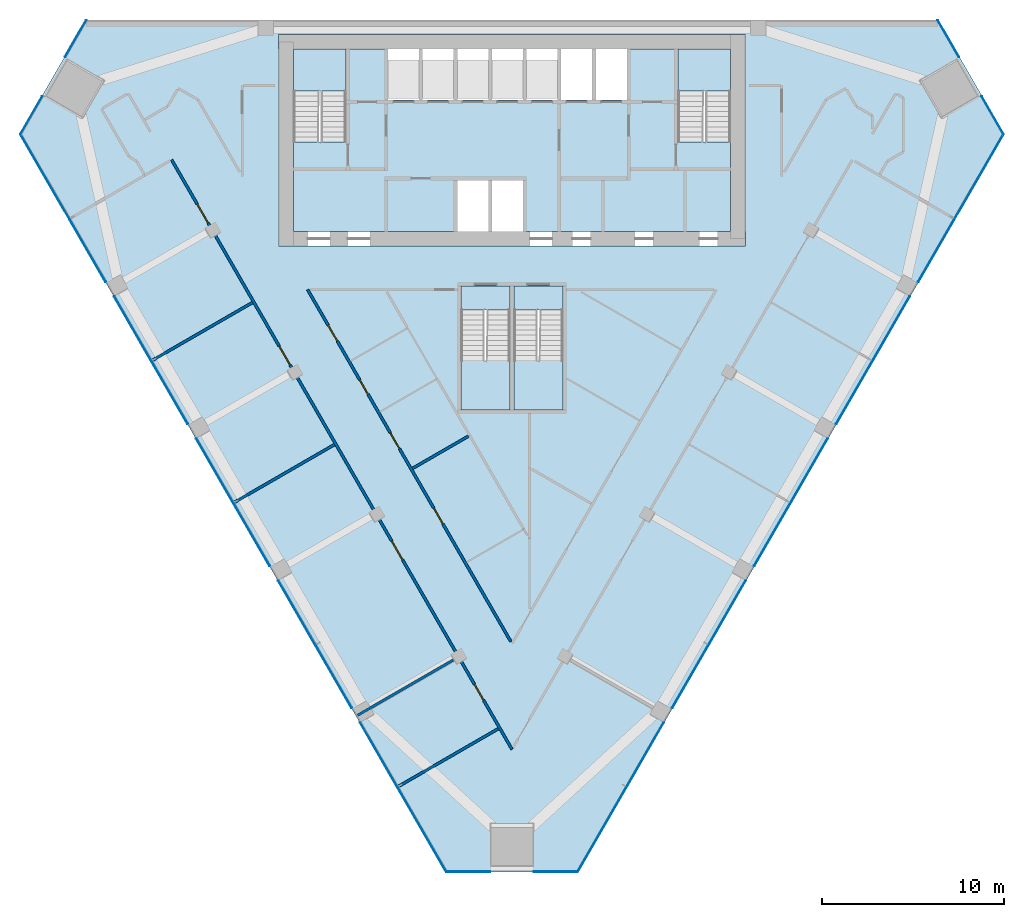
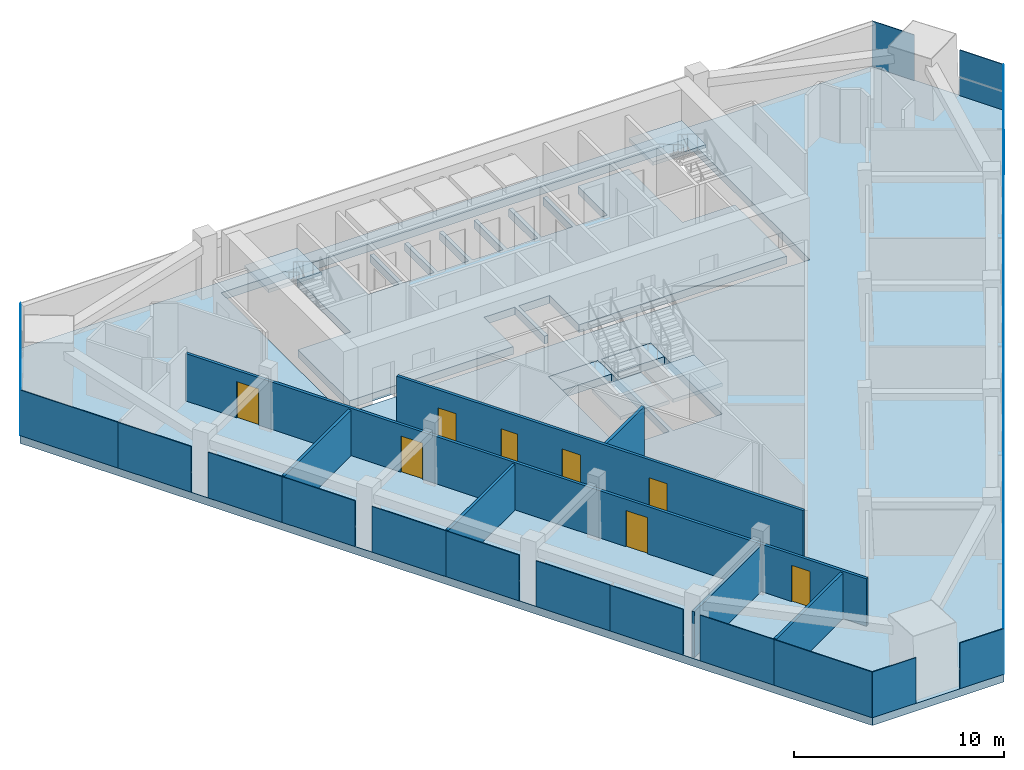
# One storey, part 8 of 13: 26 plates, 8 doors, 8 slabs, 7 walls, 8 openings, 9 elements without a shape of their own.
"""IFC4 building model written with IfcOpenShell, lengths in metres."""

from ifc_helpers import new_model, si_unit, direction, frame, frame_2d, origin, origin_2d, place, context, subcontext, project, spatial, polyline, rectangle, outline, extrude, material, layer, layer_set, type_object, element, fill, aggregate, save


model = new_model("IFC4")

# Units and contexts
model_context = context("Model", 3, precision=1e-05, world=origin(), true_north=direction((0.0, 1.0)))
body_context = subcontext(model_context, "Body", "Model", "MODEL_VIEW")
ifc_project = project(units=[si_unit("LENGTHUNIT", "METRE"), si_unit("AREAUNIT", "SQUARE_METRE"), si_unit("VOLUMEUNIT", "CUBIC_METRE"), si_unit("PLANEANGLEUNIT", "RADIAN"), si_unit("MASSUNIT", "GRAM", prefix="KILO")], contexts=[model_context])

# Site, building, storey
site_placement = place(None, origin())
site = spatial("IfcSite", under=ifc_project, at=site_placement, CompositionType="ELEMENT")
building_placement = place(site_placement, origin())
building = spatial("IfcBuilding", under=site, at=building_placement, Name="Altiplano Prism Tower", CompositionType="ELEMENT")
storey_placement = place(building_placement, frame((0.0, 0.0, 156.60009765625)))
storey = spatial("IfcBuildingStorey", under=building, at=storey_placement, Name="L40", CompositionType="ELEMENT", Elevation=156.60009765625)

# Curtain wall, plates
ifc_material_1 = material(Name="Aluminium and glass", Category="aluminium")
ifc_layer_1 = layer(ifc_material_1, 0.303955078125)
ifc_layer_set_1 = layer_set([ifc_layer_1], Name="Aluminium and glass")
curtain_wall_type = type_object("IfcCurtainWallType", Name="CW2 lounge-band unitised glazing", PredefinedType="NOTDEFINED", material=ifc_layer_set_1)
curtain_wall_1_placement = place(storey_placement, origin())
curtain_wall_1 = element("IfcCurtainWall", 1, at=curtain_wall_1_placement, inside=storey, type_object=curtain_wall_type, Name="CW2 curtain wall north-west chamfer L40", PredefinedType="NOTDEFINED")
ifc_material_2 = material(Name="Clear glass", Category="glass")
ifc_layer_2 = layer(ifc_material_2, 0.0439453125)
ifc_layer_set_2 = layer_set([ifc_layer_2], Name="Clear glass")
plate_type = type_object("IfcPlateType", Name="CW2 insulated glass unit 44", PredefinedType="CURTAIN_PANEL", material=ifc_layer_set_2)
plate_1_placement = place(storey_placement, frame((61.05078125, 103.97802734375, 0.0), z_axis=(0.0, 0.0, 1.0), x_axis=(-0.500000011623, -0.866025397074, 0.0)))
plate_1 = element("IfcPlate", 2, at=plate_1_placement, type_object=plate_type, Name="CW2 panel", PredefinedType="CURTAIN_PANEL", context=body_context, shape_type="SweptSolid", body=[
    extrude(rectangle(XDim=2.324462890625, YDim=0.0439453125, at=origin_2d()), origin(), (0.0, 0.0, 1.0), 2.64990234375),
])
plate_2_placement = place(storey_placement, frame((58.62353515625, 99.77392578125, 0.0), z_axis=(0.0, 0.0, 1.0), x_axis=(-0.500000011623, -0.866025397074, 0.0)))
plate_2 = element("IfcPlate", 3, at=plate_2_placement, type_object=plate_type, Name="CW2 panel", PredefinedType="CURTAIN_PANEL", context=body_context, shape_type="SweptSolid", body=[
    extrude(rectangle(XDim=2.404541015625, YDim=0.0439453125, at=origin_2d()), origin(), (0.0, 0.0, 1.0), 2.64990234375),
])
aggregate(curtain_wall_1, [plate_1, plate_2])

curtain_wall_2_placement = place(storey_placement, origin())
curtain_wall_2 = element("IfcCurtainWall", 4, at=curtain_wall_2_placement, inside=storey, type_object=curtain_wall_type, Name="CW2 curtain wall south-west face L40", PredefinedType="NOTDEFINED")
plate_3_placement = place(storey_placement, frame((59.365966796875, 96.418701171875, 0.0), z_axis=(0.0, 0.0, 1.0), x_axis=(0.500000001315, -0.866025403025, 0.0)))
plate_3 = element("IfcPlate", 5, at=plate_3_placement, type_object=plate_type, Name="CW2 panel", PredefinedType="CURTAIN_PANEL", context=body_context, shape_type="SweptSolid", body=[
    extrude(rectangle(XDim=5.374755859375, YDim=0.0439453125, at=origin_2d()), origin(), (0.0, 0.0, 1.0), 2.64990234375),
])
plate_4_placement = place(storey_placement, frame((61.7109375, 92.35693359375, 0.0), z_axis=(0.0, 0.0, 1.0), x_axis=(0.500000001315, -0.866025403025, 0.0)))
plate_4 = element("IfcPlate", 6, at=plate_4_placement, type_object=plate_type, Name="CW2 panel", PredefinedType="CURTAIN_PANEL", context=body_context, shape_type="SweptSolid", body=[
    extrude(rectangle(XDim=3.985595703125, YDim=0.0439453125, at=origin_2d()), origin(), (0.0, 0.0, 1.0), 2.64990234375),
])
plate_5_placement = place(storey_placement, frame((64.193603515625, 88.05712890625, 0.0), z_axis=(0.0, 0.0, 1.0), x_axis=(0.500000001315, -0.866025403025, 0.0)))
plate_5 = element("IfcPlate", 7, at=plate_5_placement, type_object=plate_type, Name="CW2 panel", PredefinedType="CURTAIN_PANEL", context=body_context, shape_type="SweptSolid", body=[
    extrude(rectangle(XDim=4.064453125, YDim=0.0439453125, at=origin_2d()), origin(), (0.0, 0.0, 1.0), 2.64990234375),
])
plate_6_placement = place(storey_placement, frame((66.2109375, 84.562744140625, 0.0), z_axis=(0.0, 0.0, 1.0), x_axis=(0.500000001315, -0.866025403025, 0.0)))
plate_6 = element("IfcPlate", 8, at=plate_6_placement, type_object=plate_type, Name="CW2 panel", PredefinedType="CURTAIN_PANEL", context=body_context, shape_type="SweptSolid", body=[
    extrude(rectangle(XDim=3.985595703125, YDim=0.0439453125, at=origin_2d()), origin(), (0.0, 0.0, 1.0), 2.64990234375),
])
plate_7_placement = place(storey_placement, frame((68.693603515625, 80.262939453125, 0.0), z_axis=(0.0, 0.0, 1.0), x_axis=(0.500000001315, -0.866025403025, 0.0)))
plate_7 = element("IfcPlate", 9, at=plate_7_placement, type_object=plate_type, Name="CW2 panel", PredefinedType="CURTAIN_PANEL", context=body_context, shape_type="SweptSolid", body=[
    extrude(rectangle(XDim=4.064453125, YDim=0.0439453125, at=origin_2d()), origin(), (0.0, 0.0, 1.0), 2.64990234375),
])
plate_8_placement = place(storey_placement, frame((70.7109375, 76.7685546875, 0.0), z_axis=(0.0, 0.0, 1.0), x_axis=(0.500000001315, -0.866025403025, 0.0)))
plate_8 = element("IfcPlate", 10, at=plate_8_placement, type_object=plate_type, Name="CW2 panel", PredefinedType="CURTAIN_PANEL", context=body_context, shape_type="SweptSolid", body=[
    extrude(rectangle(XDim=3.985595703125, YDim=0.0439453125, at=origin_2d()), origin(), (0.0, 0.0, 1.0), 2.64990234375),
])
plate_9_placement = place(storey_placement, frame((73.193603515625, 72.46875, 0.0), z_axis=(0.0, 0.0, 1.0), x_axis=(0.500000001315, -0.866025403025, 0.0)))
plate_9 = element("IfcPlate", 11, at=plate_9_placement, type_object=plate_type, Name="CW2 panel", PredefinedType="CURTAIN_PANEL", context=body_context, shape_type="SweptSolid", body=[
    extrude(rectangle(XDim=4.064453125, YDim=0.0439453125, at=origin_2d()), origin(), (0.0, 0.0, 1.0), 2.64990234375),
])
plate_10_placement = place(storey_placement, frame((75.2109375, 68.974365234375, 0.0), z_axis=(0.0, 0.0, 1.0), x_axis=(0.500000001315, -0.866025403025, 0.0)))
plate_10 = element("IfcPlate", 12, at=plate_10_placement, type_object=plate_type, Name="CW2 panel", PredefinedType="CURTAIN_PANEL", context=body_context, shape_type="SweptSolid", body=[
    extrude(rectangle(XDim=3.985595703125, YDim=0.0439453125, at=origin_2d()), origin(), (0.0, 0.0, 1.0), 2.64990234375),
])
plate_11_placement = place(storey_placement, frame((77.693603515625, 64.674560546875, 0.0), z_axis=(0.0, 0.0, 1.0), x_axis=(0.500000001315, -0.866025403025, 0.0)))
plate_11 = element("IfcPlate", 13, at=plate_11_placement, type_object=plate_type, Name="CW2 panel", PredefinedType="CURTAIN_PANEL", context=body_context, shape_type="SweptSolid", body=[
    extrude(rectangle(XDim=4.064453125, YDim=0.0439453125, at=origin_2d()), origin(), (0.0, 0.0, 1.0), 2.64990234375),
])
plate_12_placement = place(storey_placement, frame((80.058349609375, 60.57861328125, 0.0), z_axis=(0.0, 0.0, 1.0), x_axis=(0.500000001315, -0.866025403025, 0.0)))
plate_12 = element("IfcPlate", 14, at=plate_12_placement, type_object=plate_type, Name="CW2 panel", PredefinedType="CURTAIN_PANEL", context=body_context, shape_type="SweptSolid", body=[
    extrude(rectangle(XDim=5.374755859375, YDim=0.0439453125, at=origin_2d()), origin(), (0.0, 0.0, 1.0), 2.64990234375),
])
aggregate(curtain_wall_2, [plate_3, plate_4, plate_5, plate_6, plate_7, plate_8, plate_9, plate_10, plate_11, plate_12])

curtain_wall_3_placement = place(storey_placement, origin())
curtain_wall_3 = element("IfcCurtainWall", 15, at=curtain_wall_3_placement, inside=storey, type_object=curtain_wall_type, Name="CW2 curtain wall south chamfer L40", PredefinedType="NOTDEFINED")
plate_13_placement = place(storey_placement, frame((82.5927734375, 58.2578125, 0.0), z_axis=(0.0, 0.0, 1.0), x_axis=(1.0, 0.0, 0.0)))
plate_13 = element("IfcPlate", 16, at=plate_13_placement, type_object=plate_type, Name="CW2 panel", PredefinedType="CURTAIN_PANEL", context=body_context, shape_type="SweptSolid", body=[
    extrude(rectangle(XDim=2.404541015625, YDim=0.0439453125, at=origin_2d()), origin(), (0.0, 0.0, 1.0), 2.64990234375),
])
plate_14_placement = place(storey_placement, frame((87.4072265625, 58.2578125, 0.0), z_axis=(0.0, 0.0, 1.0), x_axis=(1.0, 0.0, 0.0)))
plate_14 = element("IfcPlate", 17, at=plate_14_placement, type_object=plate_type, Name="CW2 panel", PredefinedType="CURTAIN_PANEL", context=body_context, shape_type="SweptSolid", body=[
    extrude(rectangle(XDim=2.404541015625, YDim=0.0439453125, at=origin_2d()), origin(), (0.0, 0.0, 1.0), 2.64990234375),
])
aggregate(curtain_wall_3, [plate_13, plate_14])

curtain_wall_4_placement = place(storey_placement, origin())
curtain_wall_4 = element("IfcCurtainWall", 18, at=curtain_wall_4_placement, inside=storey, type_object=curtain_wall_type, Name="CW2 curtain wall south-east face L40", PredefinedType="NOTDEFINED")
plate_15_placement = place(storey_placement, frame((89.941650390625, 60.57861328125, 0.0), z_axis=(0.0, 0.0, 1.0), x_axis=(0.500000001315, 0.866025403025, 0.0)))
plate_15 = element("IfcPlate", 19, at=plate_15_placement, type_object=plate_type, Name="CW2 panel", PredefinedType="CURTAIN_PANEL", context=body_context, shape_type="SweptSolid", body=[
    extrude(rectangle(XDim=5.374755859375, YDim=0.0439453125, at=origin_2d()), origin(), (0.0, 0.0, 1.0), 2.64990234375),
])
plate_16_placement = place(storey_placement, frame((92.306396484375, 64.674560546875, 0.0), z_axis=(0.0, 0.0, 1.0), x_axis=(0.500000001315, 0.866025403025, 0.0)))
plate_16 = element("IfcPlate", 20, at=plate_16_placement, type_object=plate_type, Name="CW2 panel", PredefinedType="CURTAIN_PANEL", context=body_context, shape_type="SweptSolid", body=[
    extrude(rectangle(XDim=4.064453125, YDim=0.0439453125, at=origin_2d()), origin(), (0.0, 0.0, 1.0), 2.64990234375),
])
plate_17_placement = place(storey_placement, frame((94.7890625, 68.974365234375, 0.0), z_axis=(0.0, 0.0, 1.0), x_axis=(0.500000001315, 0.866025403025, 0.0)))
plate_17 = element("IfcPlate", 21, at=plate_17_placement, type_object=plate_type, Name="CW2 panel", PredefinedType="CURTAIN_PANEL", context=body_context, shape_type="SweptSolid", body=[
    extrude(rectangle(XDim=3.985595703125, YDim=0.0439453125, at=origin_2d()), origin(), (0.0, 0.0, 1.0), 2.64990234375),
])
plate_18_placement = place(storey_placement, frame((96.806396484375, 72.46875, 0.0), z_axis=(0.0, 0.0, 1.0), x_axis=(0.500000001315, 0.866025403025, 0.0)))
plate_18 = element("IfcPlate", 22, at=plate_18_placement, type_object=plate_type, Name="CW2 panel", PredefinedType="CURTAIN_PANEL", context=body_context, shape_type="SweptSolid", body=[
    extrude(rectangle(XDim=4.064453125, YDim=0.0439453125, at=origin_2d()), origin(), (0.0, 0.0, 1.0), 2.64990234375),
])
plate_19_placement = place(storey_placement, frame((99.2890625, 76.7685546875, 0.0), z_axis=(0.0, 0.0, 1.0), x_axis=(0.500000001315, 0.866025403025, 0.0)))
plate_19 = element("IfcPlate", 23, at=plate_19_placement, type_object=plate_type, Name="CW2 panel", PredefinedType="CURTAIN_PANEL", context=body_context, shape_type="SweptSolid", body=[
    extrude(rectangle(XDim=3.985595703125, YDim=0.0439453125, at=origin_2d()), origin(), (0.0, 0.0, 1.0), 2.64990234375),
])
plate_20_placement = place(storey_placement, frame((101.306396484375, 80.262939453125, 0.0), z_axis=(0.0, 0.0, 1.0), x_axis=(0.500000001315, 0.866025403025, 0.0)))
plate_20 = element("IfcPlate", 24, at=plate_20_placement, type_object=plate_type, Name="CW2 panel", PredefinedType="CURTAIN_PANEL", context=body_context, shape_type="SweptSolid", body=[
    extrude(rectangle(XDim=4.064453125, YDim=0.0439453125, at=origin_2d()), origin(), (0.0, 0.0, 1.0), 2.64990234375),
])
plate_21_placement = place(storey_placement, frame((103.7890625, 84.562744140625, 0.0), z_axis=(0.0, 0.0, 1.0), x_axis=(0.500000001315, 0.866025403025, 0.0)))
plate_21 = element("IfcPlate", 25, at=plate_21_placement, type_object=plate_type, Name="CW2 panel", PredefinedType="CURTAIN_PANEL", context=body_context, shape_type="SweptSolid", body=[
    extrude(rectangle(XDim=3.985595703125, YDim=0.0439453125, at=origin_2d()), origin(), (0.0, 0.0, 1.0), 2.64990234375),
])
plate_22_placement = place(storey_placement, frame((105.806396484375, 88.05712890625, 0.0), z_axis=(0.0, 0.0, 1.0), x_axis=(0.500000001315, 0.866025403025, 0.0)))
plate_22 = element("IfcPlate", 26, at=plate_22_placement, type_object=plate_type, Name="CW2 panel", PredefinedType="CURTAIN_PANEL", context=body_context, shape_type="SweptSolid", body=[
    extrude(rectangle(XDim=4.064453125, YDim=0.0439453125, at=origin_2d()), origin(), (0.0, 0.0, 1.0), 2.64990234375),
])
plate_23_placement = place(storey_placement, frame((108.2890625, 92.35693359375, 0.0), z_axis=(0.0, 0.0, 1.0), x_axis=(0.500000001315, 0.866025403025, 0.0)))
plate_23 = element("IfcPlate", 27, at=plate_23_placement, type_object=plate_type, Name="CW2 panel", PredefinedType="CURTAIN_PANEL", context=body_context, shape_type="SweptSolid", body=[
    extrude(rectangle(XDim=3.985595703125, YDim=0.0439453125, at=origin_2d()), origin(), (0.0, 0.0, 1.0), 2.64990234375),
])
plate_24_placement = place(storey_placement, frame((110.634033203125, 96.418701171875, 0.0), z_axis=(0.0, 0.0, 1.0), x_axis=(0.500000001315, 0.866025403025, 0.0)))
plate_24 = element("IfcPlate", 28, at=plate_24_placement, type_object=plate_type, Name="CW2 panel", PredefinedType="CURTAIN_PANEL", context=body_context, shape_type="SweptSolid", body=[
    extrude(rectangle(XDim=5.374755859375, YDim=0.0439453125, at=origin_2d()), origin(), (0.0, 0.0, 1.0), 2.64990234375),
])
aggregate(curtain_wall_4, [plate_15, plate_16, plate_17, plate_18, plate_19, plate_20, plate_21, plate_22, plate_23, plate_24])

curtain_wall_5_placement = place(storey_placement, origin())
curtain_wall_5 = element("IfcCurtainWall", 29, at=curtain_wall_5_placement, inside=storey, type_object=curtain_wall_type, Name="CW2 curtain wall north-east chamfer L40", PredefinedType="NOTDEFINED")
plate_25_placement = place(storey_placement, frame((111.37646484375, 99.77392578125, 0.0), z_axis=(0.0, 0.0, 1.0), x_axis=(-0.500000011623, 0.866025397074, 0.0)))
plate_25 = element("IfcPlate", 30, at=plate_25_placement, type_object=plate_type, Name="CW2 panel", PredefinedType="CURTAIN_PANEL", context=body_context, shape_type="SweptSolid", body=[
    extrude(rectangle(XDim=2.404541015625, YDim=0.0439453125, at=origin_2d()), origin(), (0.0, 0.0, 1.0), 2.64990234375),
])
plate_26_placement = place(storey_placement, frame((108.94921875, 103.97802734375, 0.0), z_axis=(0.0, 0.0, 1.0), x_axis=(-0.500000011623, 0.866025397074, 0.0)))
plate_26 = element("IfcPlate", 31, at=plate_26_placement, type_object=plate_type, Name="CW2 panel", PredefinedType="CURTAIN_PANEL", context=body_context, shape_type="SweptSolid", body=[
    extrude(rectangle(XDim=2.324462890625, YDim=0.0439453125, at=origin_2d()), origin(), (0.0, 0.0, 1.0), 2.64990234375),
])
aggregate(curtain_wall_5, [plate_25, plate_26])

# Slabs
ifc_material_3 = material(Name="Concrete C40/50", Category="concrete")
ifc_layer_3 = layer(ifc_material_3, 0.449951171875)
ifc_layer_set_3 = layer_set([ifc_layer_3], Name="Concrete C40/50")
slab_type_1 = type_object("IfcSlabType", Name="Core floor slab 450", PredefinedType="FLOOR", material=ifc_layer_set_3)
slab_1_placement = place(storey_placement, frame((0.0, 0.0, -0.4501953125)))
element("IfcSlab", 32, at=slab_1_placement, inside=storey, type_object=slab_type_1, Name="Core floor slab L40", PredefinedType="FLOOR", context=body_context, shape_type="SweptSolid", body=[
    extrude(outline(polyline([(97.0, 98.31005859375), (94.10009765625, 98.31005859375), (94.10009765625, 103.39990234375), (91.300048828125, 103.39990234375), (91.300048828125, 100.60009765625), (89.60009765625, 100.60009765625), (89.60009765625, 103.39990234375), (89.39990234375, 103.39990234375), (89.39990234375, 100.60009765625), (87.699951171875, 100.60009765625), (87.699951171875, 103.39990234375), (87.5, 103.39990234375), (87.5, 100.60009765625), (85.800048828125, 100.60009765625), (85.800048828125, 103.39990234375), (85.60009765625, 103.39990234375), (85.60009765625, 100.60009765625), (83.89990234375, 100.60009765625), (83.89990234375, 103.39990234375), (83.699951171875, 103.39990234375), (83.699951171875, 100.60009765625), (82.0, 100.60009765625), (82.0, 103.39990234375), (81.800048828125, 103.39990234375), (81.800048828125, 100.60009765625), (80.10009765625, 100.60009765625), (80.10009765625, 103.39990234375), (79.89990234375, 103.39990234375), (79.89990234375, 100.60009765625), (78.199951171875, 100.60009765625), (78.199951171875, 103.39990234375), (75.89990234375, 103.39990234375), (75.89990234375, 98.31005859375), (73.0, 98.31005859375), (73.0, 93.39990234375), (82.0, 93.39990234375), (82.0, 96.199951171875), (83.699951171875, 96.199951171875), (83.699951171875, 93.39990234375), (83.89990234375, 93.39990234375), (83.89990234375, 96.199951171875), (85.60009765625, 96.199951171875), (85.60009765625, 93.39990234375), (97.0, 93.39990234375), (97.0, 98.31005859375)])), origin(), (0.0, 0.0, 1.0), 0.4501953125),
])
slab_2_placement = place(storey_placement, frame((0.0, 0.0, -0.4501953125)))
element("IfcSlab", 33, at=slab_2_placement, inside=storey, type_object=slab_type_1, Name="Stair 3A landing slab L40", PredefinedType="FLOOR", context=body_context, shape_type="SweptSolid", body=[
    extrude(outline(polyline([(82.199951171875, 89.096923828125), (84.89990234375, 89.096923828125), (84.89990234375, 90.39990234375), (82.199951171875, 90.39990234375), (82.199951171875, 89.096923828125)])), origin(), (0.0, 0.0, 1.0), 0.4501953125),
])
slab_3_placement = place(storey_placement, frame((0.0, 0.0, -0.4501953125)))
element("IfcSlab", 34, at=slab_3_placement, inside=storey, type_object=slab_type_1, Name="Stair 3B landing slab L40", PredefinedType="FLOOR", context=body_context, shape_type="SweptSolid", body=[
    extrude(outline(polyline([(85.10009765625, 89.096923828125), (87.800048828125, 89.096923828125), (87.800048828125, 90.39990234375), (85.10009765625, 90.39990234375), (85.10009765625, 89.096923828125)])), origin(), (0.0, 0.0, 1.0), 0.4501953125),
])
ifc_layer_4 = layer(ifc_material_3, 0.449951171875)
ifc_layer_set_4 = layer_set([ifc_layer_4], Name="Concrete C40/50")
slab_type_2 = type_object("IfcSlabType", Name="Post-tensioned flat slab 450", PredefinedType="FLOOR", material=ifc_layer_set_4)
slab_4_placement = place(storey_placement, frame((0.0, 0.0, -0.4501953125)))
element("IfcSlab", 35, at=slab_4_placement, inside=storey, type_object=slab_type_2, Name="Floor slab L40", PredefinedType="FLOOR", context=body_context, shape_type="SweptSolid", body=[
    extrude(outline(polyline([(81.385498046875, 58.23583984375), (58.000732421875, 98.739501953125), (61.615234375, 105.0), (108.384765625, 105.0), (111.999267578125, 98.739501953125), (88.614501953125, 58.23583984375), (81.385498046875, 58.23583984375)]), holes=[polyline([(72.199951171875, 104.199951171875), (72.199951171875, 92.60009765625), (97.800048828125, 92.60009765625), (97.800048828125, 104.199951171875), (72.199951171875, 104.199951171875)]), polyline([(84.89990234375, 90.39990234375), (82.199951171875, 90.39990234375), (82.199951171875, 83.60009765625), (84.89990234375, 83.60009765625), (84.89990234375, 90.39990234375)]), polyline([(87.800048828125, 83.60009765625), (87.800048828125, 90.39990234375), (85.10009765625, 90.39990234375), (85.10009765625, 83.60009765625), (87.800048828125, 83.60009765625)])]), origin(), (0.0, 0.0, 1.0), 0.4501953125),
])

# Stair, slab
stair_type_1 = type_object("IfcStairType", Name="Exit stair 1400", PredefinedType="HALF_TURN_STAIR", material=ifc_material_3)
stair_1_placement = place(storey_placement, origin())
stair_1 = element("IfcStair", 36, at=stair_1_placement, inside=storey, type_object=stair_type_1, Name="L40 Exit Stair 1", PredefinedType="HALF_TURN_STAIR")
ifc_layer_5 = layer(ifc_material_3, 0.199951171875)
ifc_layer_set_5 = layer_set([ifc_layer_5], Name="Concrete C40/50")
slab_type_3 = type_object("IfcSlabType", Name="Stair landing 200", PredefinedType="LANDING", material=ifc_layer_set_5)
slab_5_placement = place(storey_placement, frame((0.0, 0.0, 1.599853515625)))
slab_5 = element("IfcSlab", 37, at=slab_5_placement, type_object=slab_type_3, Name="ST1 landing 1", PredefinedType="LANDING", context=body_context, shape_type="SweptSolid", body=[
    extrude(outline(polyline([(75.89990234375, 101.096923828125), (75.89990234375, 103.39990234375), (73.0, 103.39990234375), (73.0, 101.096923828125), (75.89990234375, 101.096923828125)])), origin(), (0.0, 0.0, 1.0), 0.199951171875),
])
aggregate(stair_1, [slab_5])

stair_2_placement = place(storey_placement, origin())
stair_2 = element("IfcStair", 38, at=stair_2_placement, inside=storey, type_object=stair_type_1, Name="L40 Exit Stair 2", PredefinedType="HALF_TURN_STAIR")
slab_6_placement = place(storey_placement, frame((0.0, 0.0, 1.599853515625)))
slab_6 = element("IfcSlab", 39, at=slab_6_placement, type_object=slab_type_3, Name="ST2 landing 1", PredefinedType="LANDING", context=body_context, shape_type="SweptSolid", body=[
    extrude(outline(polyline([(97.0, 101.096923828125), (97.0, 103.39990234375), (94.10009765625, 103.39990234375), (94.10009765625, 101.096923828125), (97.0, 101.096923828125)])), origin(), (0.0, 0.0, 1.0), 0.199951171875),
])
aggregate(stair_2, [slab_6])

stair_type_2 = type_object("IfcStairType", Name="Exit stair 1300", PredefinedType="HALF_TURN_STAIR", material=ifc_material_3)
stair_3_placement = place(storey_placement, origin())
stair_3 = element("IfcStair", 40, at=stair_3_placement, inside=storey, type_object=stair_type_2, Name="L40 Exit Stair 3A", PredefinedType="HALF_TURN_STAIR")
slab_7_placement = place(storey_placement, frame((0.0, 0.0, 1.599853515625)))
slab_7 = element("IfcSlab", 41, at=slab_7_placement, type_object=slab_type_3, Name="ST3A landing 1", PredefinedType="LANDING", context=body_context, shape_type="SweptSolid", body=[
    extrude(outline(polyline([(82.199951171875, 86.302978515625), (82.199951171875, 83.60009765625), (84.89990234375, 83.60009765625), (84.89990234375, 86.302978515625), (82.199951171875, 86.302978515625)])), origin(), (0.0, 0.0, 1.0), 0.199951171875),
])
aggregate(stair_3, [slab_7])

stair_4_placement = place(storey_placement, origin())
stair_4 = element("IfcStair", 42, at=stair_4_placement, inside=storey, type_object=stair_type_2, Name="L40 Exit Stair 3B", PredefinedType="HALF_TURN_STAIR")
slab_8_placement = place(storey_placement, frame((0.0, 0.0, 1.599853515625)))
slab_8 = element("IfcSlab", 43, at=slab_8_placement, type_object=slab_type_3, Name="ST3B landing 1", PredefinedType="LANDING", context=body_context, shape_type="SweptSolid", body=[
    extrude(outline(polyline([(85.10009765625, 86.302978515625), (85.10009765625, 83.60009765625), (87.800048828125, 83.60009765625), (87.800048828125, 86.302978515625), (85.10009765625, 86.302978515625)])), origin(), (0.0, 0.0, 1.0), 0.199951171875),
])
aggregate(stair_4, [slab_8])

# Wall, openings, doors
ifc_material_4 = material(Name="Plasterboard on steel stud", Category="steel")
ifc_layer_6 = layer(ifc_material_4, 0.14990234375)
ifc_layer_set_6 = layer_set([ifc_layer_6], Name="Plasterboard on steel stud")
wall_type_1 = type_object("IfcWallType", Name="Partition 150 corridor", PredefinedType="PARTITIONING", material=ifc_layer_set_6)
wall_1_placement = place(storey_placement, frame((84.93505859375, 70.889892578125, 0.0), z_axis=(0.0, 0.0, 1.0), x_axis=(-0.500003015666, 0.866023662682, 0.0)))
wall_1 = element("IfcWall", 44, at=wall_1_placement, inside=storey, type_object=wall_type_1, Name="Partition P06 L40 002", PredefinedType="PARTITIONING", context=body_context, shape_type="SweptSolid", body=[
    extrude(rectangle(XDim=22.296142578125, YDim=0.14990234375, at=frame_2d((11.14794921875, 0.0))), origin(), (0.0, 0.0, 1.0), 3.14990234375),
])
opening_1_placement = place(wall_1_placement, frame((15.673095703125, 0.0, 0.0)))
opening_1 = element("IfcOpeningElement", 45, at=opening_1_placement, cuts=wall_1, Name="Opening D1435", PredefinedType="OPENING", context=body_context, shape_type="SweptSolid", body=[
    extrude(rectangle(XDim=0.89990234375, YDim=2.10009765625, at=frame_2d((0.449951171875, 1.050048828125))), frame((0.0, 0.08544921875, 0.0), z_axis=(0.0, -1.0, 0.0), x_axis=(1.0, 0.0, 0.0)), (0.0, 0.0, 1.0), 0.1708984375),
])
opening_2_placement = place(wall_1_placement, frame((19.033935546875, 0.0, 0.0)))
opening_2 = element("IfcOpeningElement", 46, at=opening_2_placement, cuts=wall_1, Name="Opening D1438", PredefinedType="OPENING", context=body_context, shape_type="SweptSolid", body=[
    extrude(rectangle(XDim=1.0, YDim=2.10009765625, at=frame_2d((0.5, 1.050048828125))), frame((0.0, 0.08544921875, 0.0), z_axis=(0.0, -1.0, 0.0), x_axis=(1.0, 0.0, 0.0)), (0.0, 0.0, 1.0), 0.1708984375),
])
opening_3_placement = place(wall_1_placement, frame((12.219970703125, 0.0, 0.0)))
opening_3 = element("IfcOpeningElement", 47, at=opening_3_placement, cuts=wall_1, Name="Opening D1439", PredefinedType="OPENING", context=body_context, shape_type="SweptSolid", body=[
    extrude(rectangle(XDim=1.0, YDim=2.10009765625, at=frame_2d((0.5, 1.050048828125))), frame((0.0, 0.08544921875, 0.0), z_axis=(0.0, -1.0, 0.0), x_axis=(1.0, 0.0, 0.0)), (0.0, 0.0, 1.0), 0.1708984375),
])
opening_4_placement = place(wall_1_placement, frame((7.455078125, 0.0, 0.0)))
opening_4 = element("IfcOpeningElement", 48, at=opening_4_placement, cuts=wall_1, Name="Opening D1454", PredefinedType="OPENING", context=body_context, shape_type="SweptSolid", body=[
    extrude(rectangle(XDim=1.0, YDim=2.10009765625, at=frame_2d((0.5, 1.050048828125))), frame((0.0, 0.08544921875, 0.0), z_axis=(0.0, -1.0, 0.0), x_axis=(1.0, 0.0, 0.0)), (0.0, 0.0, 1.0), 0.1708984375),
])
ifc_material_5 = material(Name="Timber", Category="wood")
door_type_1 = type_object("IfcDoorType", Name="Store door 1000 x 2100", OperationType="NOTDEFINED", PredefinedType="NOTDEFINED", material=ifc_material_5)
door_1_placement = place(opening_2_placement, origin())
door_1 = element("IfcDoor", 49, at=door_1_placement, inside=storey, type_object=door_type_1, Name="Door D1438", OperationType="SINGLE_SWING_RIGHT", OverallHeight=2.10009765625, OverallWidth=1.0, PredefinedType="NOTDEFINED", context=body_context, shape_type="SweptSolid", body=[
    extrude(rectangle(XDim=1.0, YDim=2.10009765625, at=frame_2d((0.5, 1.050048828125))), frame((0.0, 0.02490234375, 0.0), z_axis=(0.0, -1.0, 0.0), x_axis=(1.0, 0.0, 0.0)), (0.0, 0.0, 1.0), 0.050048828125),
])
fill(opening_2, door_1)
door_2_placement = place(opening_3_placement, origin())
door_2 = element("IfcDoor", 50, at=door_2_placement, inside=storey, type_object=door_type_1, Name="Door D1439", OperationType="SINGLE_SWING_RIGHT", OverallHeight=2.10009765625, OverallWidth=1.0, PredefinedType="NOTDEFINED", context=body_context, shape_type="SweptSolid", body=[
    extrude(rectangle(XDim=1.0, YDim=2.10009765625, at=frame_2d((0.5, 1.050048828125))), frame((0.0, 0.02490234375, 0.0), z_axis=(0.0, -1.0, 0.0), x_axis=(1.0, 0.0, 0.0)), (0.0, 0.0, 1.0), 0.050048828125),
])
fill(opening_3, door_2)
door_3_placement = place(opening_4_placement, origin())
door_3 = element("IfcDoor", 51, at=door_3_placement, inside=storey, type_object=door_type_1, Name="Door D1454", OperationType="SINGLE_SWING_RIGHT", OverallHeight=2.10009765625, OverallWidth=1.0, PredefinedType="NOTDEFINED", context=body_context, shape_type="SweptSolid", body=[
    extrude(rectangle(XDim=1.0, YDim=2.10009765625, at=frame_2d((0.5, 1.050048828125))), frame((0.0, 0.02490234375, 0.0), z_axis=(0.0, -1.0, 0.0), x_axis=(1.0, 0.0, 0.0)), (0.0, 0.0, 1.0), 0.050048828125),
])
fill(opening_4, door_3)
door_type_2 = type_object("IfcDoorType", Name="Toilet door 900 x 2100", OperationType="NOTDEFINED", PredefinedType="NOTDEFINED", material=ifc_material_5)
door_4_placement = place(opening_1_placement, origin())
door_4 = element("IfcDoor", 52, at=door_4_placement, inside=storey, type_object=door_type_2, Name="Door D1435", OperationType="SINGLE_SWING_RIGHT", OverallHeight=2.10009765625, OverallWidth=0.89990234375, PredefinedType="NOTDEFINED", context=body_context, shape_type="SweptSolid", body=[
    extrude(rectangle(XDim=0.89990234375, YDim=2.10009765625, at=frame_2d((0.449951171875, 1.050048828125))), frame((0.0, 0.02490234375, 0.0), z_axis=(0.0, -1.0, 0.0), x_axis=(1.0, 0.0, 0.0)), (0.0, 0.0, 1.0), 0.050048828125),
])
fill(opening_1, door_4)

wall_2_placement = place(storey_placement, frame((66.322265625, 97.326171875, 0.0), z_axis=(0.0, 0.0, 1.0), x_axis=(0.4999994764, -0.866025706085, 0.0)))
wall_2 = element("IfcWall", 53, at=wall_2_placement, inside=storey, type_object=wall_type_1, Name="Partition P06 L40 005", PredefinedType="PARTITIONING", context=body_context, shape_type="SweptSolid", body=[
    extrude(rectangle(XDim=37.35546875, YDim=0.14990234375, at=frame_2d((18.677734375, 0.0))), origin(), (0.0, 0.0, 1.0), 2.75),
])
opening_5_placement = place(wall_2_placement, frame((2.800048828125, 0.0, 0.0)))
opening_5 = element("IfcOpeningElement", 54, at=opening_5_placement, cuts=wall_2, Name="Opening D1441", PredefinedType="OPENING", context=body_context, shape_type="SweptSolid", body=[
    extrude(rectangle(XDim=1.199951171875, YDim=2.10009765625, at=frame_2d((0.60009765625, 1.050048828125))), frame((0.0, 0.08544921875, 0.0), z_axis=(0.0, -1.0, 0.0), x_axis=(1.0, 0.0, 0.0)), (0.0, 0.0, 1.0), 0.1708984375),
])
opening_6_placement = place(wall_2_placement, frame((11.800048828125, 0.0, 0.0)))
opening_6 = element("IfcOpeningElement", 55, at=opening_6_placement, cuts=wall_2, Name="Opening D1442", PredefinedType="OPENING", context=body_context, shape_type="SweptSolid", body=[
    extrude(rectangle(XDim=1.199951171875, YDim=2.10009765625, at=frame_2d((0.60009765625, 1.050048828125))), frame((0.0, 0.08544921875, 0.0), z_axis=(0.0, -1.0, 0.0), x_axis=(1.0, 0.0, 0.0)), (0.0, 0.0, 1.0), 0.1708984375),
])
opening_7_placement = place(wall_2_placement, frame((24.14990234375, 0.0, 0.0)))
opening_7 = element("IfcOpeningElement", 56, at=opening_7_placement, cuts=wall_2, Name="Opening D1443", PredefinedType="OPENING", context=body_context, shape_type="SweptSolid", body=[
    extrude(rectangle(XDim=1.199951171875, YDim=2.10009765625, at=frame_2d((0.60009765625, 1.050048828125))), frame((0.0, 0.08544921875, 0.0), z_axis=(0.0, -1.0, 0.0), x_axis=(1.0, 0.0, 0.0)), (0.0, 0.0, 1.0), 0.1708984375),
])
opening_8_placement = place(wall_2_placement, frame((33.25, 0.0, 0.0)))
opening_8 = element("IfcOpeningElement", 57, at=opening_8_placement, cuts=wall_2, Name="Opening D1444", PredefinedType="OPENING", context=body_context, shape_type="SweptSolid", body=[
    extrude(rectangle(XDim=1.0, YDim=2.10009765625, at=frame_2d((0.5, 1.050048828125))), frame((0.0, 0.08544921875, 0.0), z_axis=(0.0, -1.0, 0.0), x_axis=(1.0, 0.0, 0.0)), (0.0, 0.0, 1.0), 0.1708984375),
])
door_type_3 = type_object("IfcDoorType", Name="Room door 1000 x 2100", OperationType="NOTDEFINED", PredefinedType="NOTDEFINED", material=ifc_material_5)
door_5_placement = place(opening_8_placement, origin())
door_5 = element("IfcDoor", 58, at=door_5_placement, inside=storey, type_object=door_type_3, Name="Door D1444", OperationType="SINGLE_SWING_LEFT", OverallHeight=2.10009765625, OverallWidth=1.0, PredefinedType="NOTDEFINED", context=body_context, shape_type="SweptSolid", body=[
    extrude(rectangle(XDim=1.0, YDim=2.10009765625, at=frame_2d((0.5, 1.050048828125))), frame((0.0, 0.02490234375, 0.0), z_axis=(0.0, -1.0, 0.0), x_axis=(1.0, 0.0, 0.0)), (0.0, 0.0, 1.0), 0.050048828125),
])
fill(opening_8, door_5)
door_type_4 = type_object("IfcDoorType", Name="Shared room door 1200 x 2100", OperationType="NOTDEFINED", PredefinedType="NOTDEFINED", material=ifc_material_5)
door_6_placement = place(opening_5_placement, origin())
door_6 = element("IfcDoor", 59, at=door_6_placement, inside=storey, type_object=door_type_4, Name="Door D1441", OperationType="SINGLE_SWING_RIGHT", OverallHeight=2.10009765625, OverallWidth=1.199951171875, PredefinedType="NOTDEFINED", context=body_context, shape_type="SweptSolid", body=[
    extrude(rectangle(XDim=1.199951171875, YDim=2.10009765625, at=frame_2d((0.60009765625, 1.050048828125))), frame((0.0, 0.02490234375, 0.0), z_axis=(0.0, -1.0, 0.0), x_axis=(1.0, 0.0, 0.0)), (0.0, 0.0, 1.0), 0.050048828125),
])
fill(opening_5, door_6)
door_7_placement = place(opening_6_placement, origin())
door_7 = element("IfcDoor", 60, at=door_7_placement, inside=storey, type_object=door_type_4, Name="Door D1442", OperationType="SINGLE_SWING_RIGHT", OverallHeight=2.10009765625, OverallWidth=1.199951171875, PredefinedType="NOTDEFINED", context=body_context, shape_type="SweptSolid", body=[
    extrude(rectangle(XDim=1.199951171875, YDim=2.10009765625, at=frame_2d((0.60009765625, 1.050048828125))), frame((0.0, 0.02490234375, 0.0), z_axis=(0.0, -1.0, 0.0), x_axis=(1.0, 0.0, 0.0)), (0.0, 0.0, 1.0), 0.050048828125),
])
fill(opening_6, door_7)
door_8_placement = place(opening_7_placement, origin())
door_8 = element("IfcDoor", 61, at=door_8_placement, inside=storey, type_object=door_type_4, Name="Door D1443", OperationType="SINGLE_SWING_LEFT", OverallHeight=2.10009765625, OverallWidth=1.199951171875, PredefinedType="NOTDEFINED", context=body_context, shape_type="SweptSolid", body=[
    extrude(rectangle(XDim=1.199951171875, YDim=2.10009765625, at=frame_2d((0.60009765625, 1.050048828125))), frame((0.0, 0.02490234375, 0.0), z_axis=(0.0, -1.0, 0.0), x_axis=(1.0, 0.0, 0.0)), (0.0, 0.0, 1.0), 0.050048828125),
])
fill(opening_7, door_8)

# Walls
ifc_layer_7 = layer(ifc_material_4, 0.14990234375)
ifc_layer_set_7 = layer_set([ifc_layer_7], Name="Plasterboard on steel stud")
wall_type_2 = type_object("IfcWallType", Name="Partition 150 party", PredefinedType="PARTITIONING", material=ifc_layer_set_7)
wall_3_placement = place(storey_placement, frame((79.537353515625, 80.388916015625, 0.0), z_axis=(0.0, 0.0, 1.0), x_axis=(0.866026476533, 0.49999814194, 0.0)))
element("IfcWall", 62, at=wall_3_placement, inside=storey, type_object=wall_type_2, Name="Partition P01 L40 040", PredefinedType="PARTITIONING", context=body_context, shape_type="SweptSolid", body=[
    extrude(rectangle(XDim=3.5517578125, YDim=0.14990234375, at=frame_2d((1.77587890625, 0.0))), origin(), (0.0, 0.0, 1.0), 3.14990234375),
])
for number, where, z_axis, x_axis, name in (
    (63, (65.27978515625, 86.331787109375, 0.0), (0.0, 0.0, 1.0), (0.866015887322, 0.500016482634, 0.0), "Partition P01 L40 043"),
    (64, (69.77978515625, 78.53759765625, 0.0), (0.0, 0.0, 1.0), (0.866015887322, 0.500016482634, 0.0), "Partition P01 L40 045"),
    (65, (76.52978515625, 66.846435546875, 0.0), (0.0, 0.0, 1.0), (0.866032601554, 0.49998753289, 0.0), "Partition P01 L40 046"),
    (66, (78.77978515625, 62.94921875, 0.0), (0.0, 0.0, 1.0), (0.866015887322, 0.500016482634, 0.0), "Partition P01 L40 047"),
):
    element("IfcWall", number, at=place(storey_placement, frame(where, z_axis=z_axis, x_axis=x_axis)), inside=storey, type_object=wall_type_2, Name=name, PredefinedType="PARTITIONING", context=body_context, shape_type="SweptSolid", body=[
        extrude(rectangle(XDim=6.324951171875, YDim=0.14990234375, at=frame_2d((3.16259765625, 0.0))), origin(), (0.0, 0.0, 1.0), 2.64990234375),
    ])

save(model, "model.ifc")
